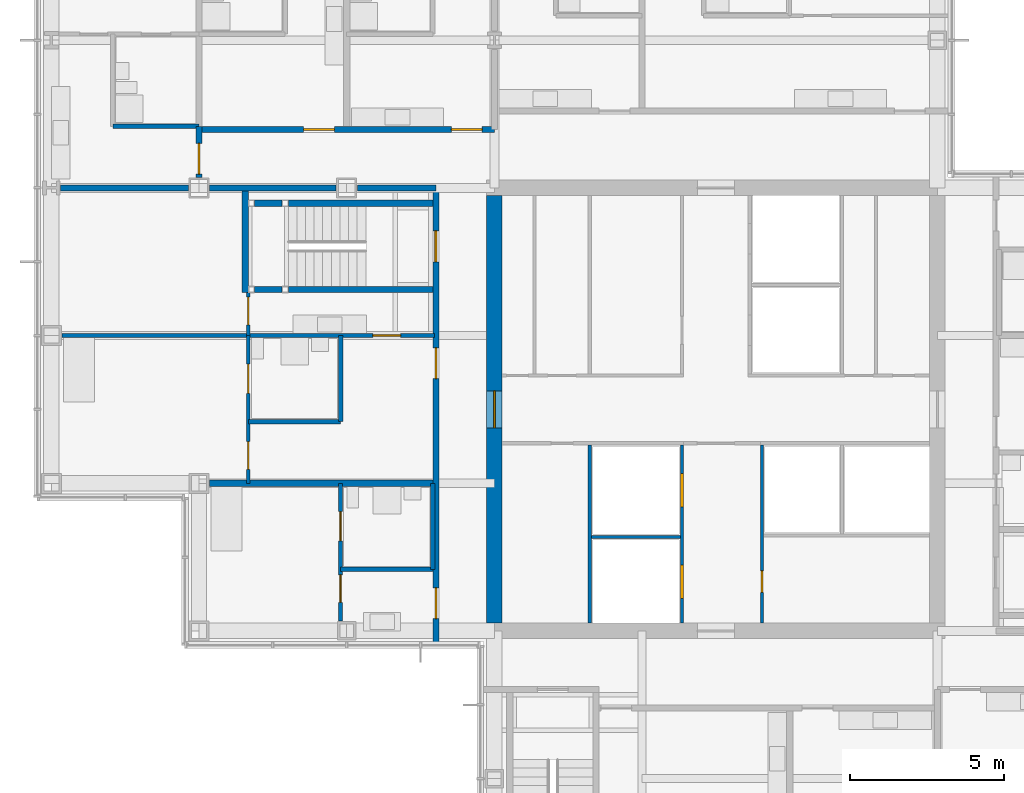
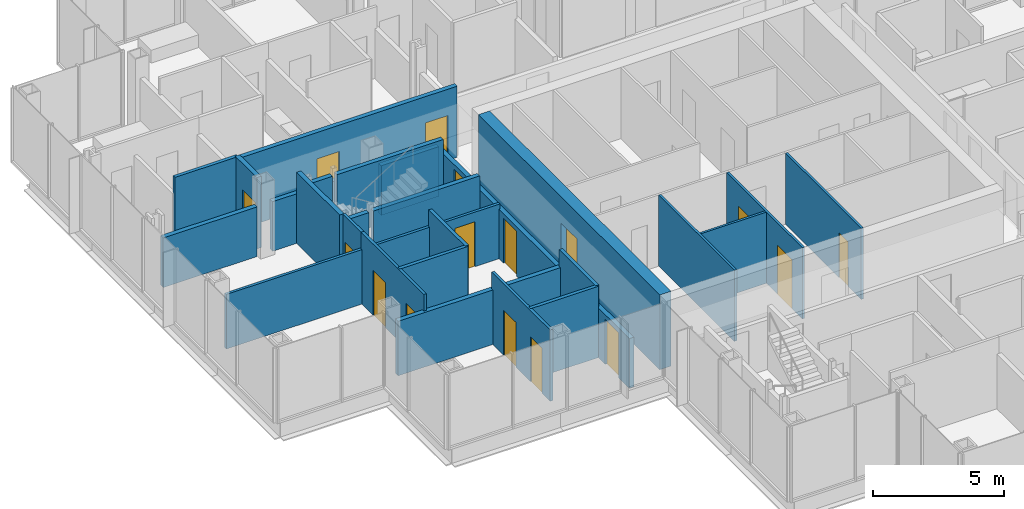
# One storey, part 14 of 20: 27 walls, 16 doors, 16 openings.
"""IFC4 building model written with IfcOpenShell, lengths in metres."""

from ifc_helpers import new_model, si_unit, direction, frame, frame_2d, origin, place, context, subcontext, project, spatial, rectangle, extrude, material, layer, layer_set, type_object, element, fill, save


model = new_model("IFC4")

# Units and contexts
model_context = context("Model", 3, precision=1e-05, world=origin(), true_north=direction((0.0, 1.0)))
body_context = subcontext(model_context, "Body", "Model", "MODEL_VIEW")
ifc_project = project(units=[si_unit("LENGTHUNIT", "METRE"), si_unit("AREAUNIT", "SQUARE_METRE"), si_unit("VOLUMEUNIT", "CUBIC_METRE"), si_unit("PLANEANGLEUNIT", "RADIAN"), si_unit("MASSUNIT", "GRAM", prefix="KILO")], contexts=[model_context])

# Site, building, storey
site_placement = place(None, origin())
site = spatial("IfcSite", under=ifc_project, at=site_placement, CompositionType="ELEMENT")
building_placement = place(site_placement, origin())
building = spatial("IfcBuilding", under=site, at=building_placement, Name="Kvirike Care Tower", CompositionType="ELEMENT")
storey_placement = place(building_placement, frame((0.0, 0.0, 105.0)))
storey = spatial("IfcBuildingStorey", under=building, at=storey_placement, Name="L28", CompositionType="ELEMENT", Elevation=105.0)

# Walls
ifc_material_1 = material(Name="Moisture-resistant board partition", Category="gypsum")
ifc_layer_1 = layer(ifc_material_1, 0.14990234375)
ifc_layer_set_1 = layer_set([ifc_layer_1], Name="BATHROOM WALL 150")
wall_type_1 = type_object("IfcWallType", Name="BATHROOM WALL 150", PredefinedType="PARTITIONING", material=ifc_layer_set_1)
wall_1_placement = place(storey_placement, frame((6.39990234375, 35.60009765625, 0.0), z_axis=(0.0, 0.0, 1.0), x_axis=(1.0, 0.0, 0.0)))
element("IfcWall", 1, at=wall_1_placement, inside=storey, type_object=wall_type_1, Name="Bathroom Wall 150 L28", PredefinedType="PARTITIONING", context=body_context, shape_type="SweptSolid", body=[
    extrude(rectangle(XDim=3.0, YDim=0.14990234375, at=frame_2d((1.5, 0.0))), origin(), (0.0, 0.0, 1.0), 3.330078125),
])
wall_2_placement = place(storey_placement, frame((9.39990234375, 38.39990234375, 0.0), z_axis=(0.0, 0.0, 1.0), x_axis=(0.0, -1.0, 0.0)))
element("IfcWall", 2, at=wall_2_placement, inside=storey, type_object=wall_type_1, Name="Bathroom Wall 150 L28", PredefinedType="PARTITIONING", context=body_context, shape_type="SweptSolid", body=[
    extrude(rectangle(XDim=2.7998046875, YDim=0.14990234375, at=frame_2d((1.39990234375, 0.0))), origin(), (0.0, 0.0, 1.0), 3.330078125),
])
wall_3_placement = place(storey_placement, frame((9.39990234375, 30.800048828125, 0.0), z_axis=(0.0, 0.0, 1.0), x_axis=(1.0, 0.0, 0.0)))
element("IfcWall", 3, at=wall_3_placement, inside=storey, type_object=wall_type_1, Name="Bathroom Wall 150 L28", PredefinedType="PARTITIONING", context=body_context, shape_type="SweptSolid", body=[
    extrude(rectangle(XDim=3.0, YDim=0.14990234375, at=frame_2d((1.5, 0.0))), origin(), (0.0, 0.0, 1.0), 3.330078125),
])
for number, where, z_axis, x_axis, name in (
    (4, (12.39990234375, 33.60009765625, 0.0), (0.0, 0.0, 1.0), (0.0, -1.0, 0.0), "Bathroom Wall 150 L28"),
    (5, (4.800048828125, 45.199951171875, 0.0), (0.0, 0.0, 1.0), (-1.0, 0.0, 0.0), "Bathroom Wall 150 L28"),
):
    element("IfcWall", number, at=place(storey_placement, frame(where, z_axis=z_axis, x_axis=x_axis)), inside=storey, type_object=wall_type_1, Name=name, PredefinedType="PARTITIONING", context=body_context, shape_type="SweptSolid", body=[
        extrude(rectangle(XDim=2.800048828125, YDim=0.14990234375, at=frame_2d((1.39990234375, 0.0))), origin(), (0.0, 0.0, 1.0), 3.330078125),
    ])

# Wall, opening, door
ifc_material_2 = material(Name="Concrete C50/60", Category="concrete")
ifc_layer_2 = layer(ifc_material_2, 0.5)
ifc_layer_set_2 = layer_set([ifc_layer_2], Name="CORE WALL 500 C50-60")
wall_type_2 = type_object("IfcWallType", Name="CORE WALL 500 C50-60", PredefinedType="SHEAR", material=ifc_layer_set_2)
wall_4_placement = place(storey_placement, frame((14.39990234375, 42.949951171875, -0.169921875), z_axis=(0.0, 0.0, 1.0), x_axis=(0.0, -1.0, 0.0)))
wall_4 = element("IfcWall", 6, at=wall_4_placement, inside=storey, type_object=wall_type_2, Name="Core wall W L28", PredefinedType="SHEAR", context=body_context, shape_type="SweptSolid", body=[
    extrude(rectangle(XDim=13.89990234375, YDim=0.5, at=frame_2d((6.949951171875, 0.0))), origin(), (0.0, 0.0, 1.0), 3.5),
])
opening_1_placement = place(wall_4_placement, frame((6.35009765625, 0.0, 0.169921875)))
opening_1 = element("IfcOpeningElement", 7, at=opening_1_placement, cuts=wall_4, Name="Opening 28-063", PredefinedType="OPENING", context=body_context, shape_type="SweptSolid", body=[
    extrude(rectangle(XDim=1.199951171875, YDim=2.10009765625, at=frame_2d((0.60009765625, 1.050048828125))), frame((0.0, 0.260498046875, 0.0), z_axis=(0.0, -1.0, 0.0), x_axis=(1.0, 0.0, 0.0)), (0.0, 0.0, 1.0), 0.52099609375),
])
ifc_material_3 = material(Name="Timber door set", Category="wood")
door_type_1 = type_object("IfcDoorType", Name="CORE DOOR 1200", OperationType="SINGLE_SWING_LEFT", PredefinedType="DOOR", material=ifc_material_3)
door_1_placement = place(opening_1_placement, origin())
door_1 = element("IfcDoor", 8, at=door_1_placement, inside=storey, type_object=door_type_1, Name="Core door W L28", OperationType="SINGLE_SWING_LEFT", OverallHeight=2.10009765625, OverallWidth=1.199951171875, PredefinedType="DOOR", context=body_context, shape_type="SweptSolid", body=[
    extrude(rectangle(XDim=1.199951171875, YDim=2.10009765625, at=frame_2d((0.60009765625, 1.050048828125))), frame((0.0, 0.02685546875, 0.0), z_axis=(0.0, -1.0, 0.0), x_axis=(1.0, 0.0, 0.0)), (0.0, 0.0, 1.0), 0.053955078125),
])
fill(opening_1, door_1)

# Wall, openings, doors
ifc_material_4 = material(Name="Plasterboard corridor wall", Category="gypsum")
ifc_layer_3 = layer(ifc_material_4, 0.199951171875)
ifc_layer_set_3 = layer_set([ifc_layer_3], Name="CORRIDOR WALL 200")
wall_type_3 = type_object("IfcWallType", Name="CORRIDOR WALL 200", PredefinedType="PARTITIONING", material=ifc_layer_set_3)
wall_5_placement = place(storey_placement, frame((12.5, 43.199951171875, 0.0), z_axis=(0.0, 0.0, 1.0), x_axis=(0.0, -1.0, 0.0)))
wall_5 = element("IfcWall", 9, at=wall_5_placement, inside=storey, type_object=wall_type_3, Name="Corridor Wall 200 L28", PredefinedType="PARTITIONING", context=body_context, shape_type="SweptSolid", body=[
    extrude(rectangle(XDim=14.83984375, YDim=0.199951171875, at=frame_2d((7.419921875, 0.0))), origin(), (0.0, 0.0, 1.0), 2.320068359375),
])
opening_2_placement = place(wall_5_placement, frame((1.39990234375, 0.0, 0.0)))
opening_2 = element("IfcOpeningElement", 10, at=opening_2_placement, cuts=wall_5, Name="Opening 28-007", PredefinedType="OPENING", context=body_context, shape_type="SweptSolid", body=[
    extrude(rectangle(XDim=1.0, YDim=2.10009765625, at=frame_2d((0.5, 1.050048828125))), frame((0.0, 0.110595703125, 0.0), z_axis=(0.0, -1.0, 0.0), x_axis=(1.0, 0.0, 0.0)), (0.0, 0.0, 1.0), 0.220947265625),
])
opening_3_placement = place(wall_5_placement, frame((5.199951171875, 0.0, 0.0)))
opening_3 = element("IfcOpeningElement", 11, at=opening_3_placement, cuts=wall_5, Name="Opening 28-008", PredefinedType="OPENING", context=body_context, shape_type="SweptSolid", body=[
    extrude(rectangle(XDim=1.0, YDim=2.10009765625, at=frame_2d((0.5, 1.050048828125))), frame((0.0, 0.110595703125, 0.0), z_axis=(0.0, -1.0, 0.0), x_axis=(1.0, 0.0, 0.0)), (0.0, 0.0, 1.0), 0.220947265625),
])
opening_4_placement = place(wall_5_placement, frame((13.0, 0.0, 0.0)))
opening_4 = element("IfcOpeningElement", 12, at=opening_4_placement, cuts=wall_5, Name="Opening 28-009", PredefinedType="OPENING", context=body_context, shape_type="SweptSolid", body=[
    extrude(rectangle(XDim=1.0, YDim=2.10009765625, at=frame_2d((0.5, 1.050048828125))), frame((0.0, 0.110595703125, 0.0), z_axis=(0.0, -1.0, 0.0), x_axis=(1.0, 0.0, 0.0)), (0.0, 0.0, 1.0), 0.220947265625),
])
ifc_material_5 = material(Name="Timber door set", Category="wood")
door_type_2 = type_object("IfcDoorType", Name="FLAT ENTRANCE DOOR 1000", OperationType="SINGLE_SWING_LEFT", PredefinedType="DOOR", material=ifc_material_5)
door_2_placement = place(opening_3_placement, frame((1.0, 0.0, 0.0), z_axis=(0.0, 0.0, 1.0), x_axis=(-1.0, 0.0, 0.0)))
door_2 = element("IfcDoor", 13, at=door_2_placement, inside=storey, type_object=door_type_2, Name="Assisted living suite entrance", OperationType="SINGLE_SWING_LEFT", OverallHeight=2.10009765625, OverallWidth=1.0, PredefinedType="DOOR", context=body_context, shape_type="SweptSolid", body=[
    extrude(rectangle(XDim=1.0, YDim=2.10009765625, at=frame_2d((0.5, 1.050048828125))), frame((0.0, 0.02685546875, 0.0), z_axis=(0.0, -1.0, 0.0), x_axis=(1.0, 0.0, 0.0)), (0.0, 0.0, 1.0), 0.053955078125),
])
fill(opening_3, door_2)
door_3_placement = place(opening_4_placement, frame((1.0, 0.0, 0.0), z_axis=(0.0, 0.0, 1.0), x_axis=(-1.0, 0.0, 0.0)))
door_3 = element("IfcDoor", 14, at=door_3_placement, inside=storey, type_object=door_type_2, Name="Assisted living suite entrance", OperationType="SINGLE_SWING_RIGHT", OverallHeight=2.10009765625, OverallWidth=1.0, PredefinedType="DOOR", context=body_context, shape_type="SweptSolid", body=[
    extrude(rectangle(XDim=1.0, YDim=2.10009765625, at=frame_2d((0.5, 1.050048828125))), frame((0.0, 0.02685546875, 0.0), z_axis=(0.0, -1.0, 0.0), x_axis=(1.0, 0.0, 0.0)), (0.0, 0.0, 1.0), 0.053955078125),
])
fill(opening_4, door_3)
ifc_material_6 = material(Name="Timber door set", Category="wood")
door_type_3 = type_object("IfcDoorType", Name="STAIR DOOR 1000", OperationType="SINGLE_SWING_LEFT", PredefinedType="DOOR", material=ifc_material_6)
door_4_placement = place(opening_2_placement, frame((1.0, 0.0, 0.0), z_axis=(0.0, 0.0, 1.0), x_axis=(-1.0, 0.0, 0.0)))
door_4 = element("IfcDoor", 15, at=door_4_placement, inside=storey, type_object=door_type_3, Name="Stair 1 door", OperationType="SINGLE_SWING_LEFT", OverallHeight=2.10009765625, OverallWidth=1.0, PredefinedType="DOOR", context=body_context, shape_type="SweptSolid", body=[
    extrude(rectangle(XDim=1.0, YDim=2.10009765625, at=frame_2d((0.5, 1.050048828125))), frame((0.0, 0.031982421875, 0.0), z_axis=(0.0, -1.0, 0.0), x_axis=(1.0, 0.0, 0.0)), (0.0, 0.0, 1.0), 0.06396484375),
])
fill(opening_2, door_4)

wall_6_placement = place(storey_placement, frame((14.39990234375, 45.10009765625, 0.0), z_axis=(0.0, 0.0, 1.0), x_axis=(-1.0, 0.0, 0.0)))
wall_6 = element("IfcWall", 16, at=wall_6_placement, inside=storey, type_object=wall_type_3, Name="Corridor Wall 200 L28", PredefinedType="PARTITIONING", context=body_context, shape_type="SweptSolid", body=[
    extrude(rectangle(XDim=9.599853515625, YDim=0.199951171875, at=frame_2d((4.7998046875, 0.0))), origin(), (0.0, 0.0, 1.0), 3.330078125),
])
opening_5_placement = place(wall_6_placement, frame((0.39990234375, 0.0, 0.0)))
opening_5 = element("IfcOpeningElement", 17, at=opening_5_placement, cuts=wall_6, Name="Opening 28-016", PredefinedType="OPENING", context=body_context, shape_type="SweptSolid", body=[
    extrude(rectangle(XDim=1.0, YDim=2.10009765625, at=frame_2d((0.5, 1.050048828125))), frame((0.0, 0.110595703125, 0.0), z_axis=(0.0, -1.0, 0.0), x_axis=(1.0, 0.0, 0.0)), (0.0, 0.0, 1.0), 0.220947265625),
])
opening_6_placement = place(wall_6_placement, frame((5.199951171875, 0.0, 0.0)))
opening_6 = element("IfcOpeningElement", 18, at=opening_6_placement, cuts=wall_6, Name="Opening 28-017", PredefinedType="OPENING", context=body_context, shape_type="SweptSolid", body=[
    extrude(rectangle(XDim=1.0, YDim=2.10009765625, at=frame_2d((0.5, 1.050048828125))), frame((0.0, 0.110595703125, 0.0), z_axis=(0.0, -1.0, 0.0), x_axis=(1.0, 0.0, 0.0)), (0.0, 0.0, 1.0), 0.220947265625),
])
door_5_placement = place(opening_5_placement, frame((1.0, 0.0, 0.0), z_axis=(0.0, 0.0, 1.0), x_axis=(-1.0, 0.0, 0.0)))
door_5 = element("IfcDoor", 19, at=door_5_placement, inside=storey, type_object=door_type_2, Name="Assisted living suite entrance", OperationType="SINGLE_SWING_LEFT", OverallHeight=2.10009765625, OverallWidth=1.0, PredefinedType="DOOR", context=body_context, shape_type="SweptSolid", body=[
    extrude(rectangle(XDim=1.0, YDim=2.10009765625, at=frame_2d((0.5, 1.050048828125))), frame((0.0, 0.02685546875, 0.0), z_axis=(0.0, -1.0, 0.0), x_axis=(1.0, 0.0, 0.0)), (0.0, 0.0, 1.0), 0.053955078125),
])
fill(opening_5, door_5)
door_6_placement = place(opening_6_placement, frame((1.0, 0.0, 0.0), z_axis=(0.0, 0.0, 1.0), x_axis=(-1.0, 0.0, 0.0)))
door_6 = element("IfcDoor", 20, at=door_6_placement, inside=storey, type_object=door_type_2, Name="Assisted living suite entrance", OperationType="SINGLE_SWING_LEFT", OverallHeight=2.10009765625, OverallWidth=1.0, PredefinedType="DOOR", context=body_context, shape_type="SweptSolid", body=[
    extrude(rectangle(XDim=1.0, YDim=2.10009765625, at=frame_2d((0.5, 1.050048828125))), frame((0.0, 0.02685546875, 0.0), z_axis=(0.0, -1.0, 0.0), x_axis=(1.0, 0.0, 0.0)), (0.0, 0.0, 1.0), 0.053955078125),
])
fill(opening_6, door_6)

# Wall, opening, door
wall_7_placement = place(storey_placement, frame((4.800048828125, 45.199951171875, 0.0), z_axis=(0.0, 0.0, 1.0), x_axis=(0.0, -1.0, 0.0)))
wall_7 = element("IfcWall", 21, at=wall_7_placement, inside=storey, type_object=wall_type_3, Name="Corridor Wall 200 L28", PredefinedType="PARTITIONING", context=body_context, shape_type="SweptSolid", body=[
    extrude(rectangle(XDim=1.655029296875, YDim=0.199951171875, at=frame_2d((0.82763671875, 0.0))), origin(), (0.0, 0.0, 1.0), 3.330078125),
])
opening_7_placement = place(wall_7_placement, frame((0.550048828125, 0.0, 0.0)))
opening_7 = element("IfcOpeningElement", 22, at=opening_7_placement, cuts=wall_7, Name="Opening 28-018", PredefinedType="OPENING", context=body_context, shape_type="SweptSolid", body=[
    extrude(rectangle(XDim=1.0, YDim=2.10009765625, at=frame_2d((0.5, 1.050048828125))), frame((0.0, 0.110595703125, 0.0), z_axis=(0.0, -1.0, 0.0), x_axis=(1.0, 0.0, 0.0)), (0.0, 0.0, 1.0), 0.220947265625),
])
door_7_placement = place(opening_7_placement, frame((1.0, 0.0, 0.0), z_axis=(0.0, 0.0, 1.0), x_axis=(-1.0, 0.0, 0.0)))
door_7 = element("IfcDoor", 23, at=door_7_placement, inside=storey, type_object=door_type_2, Name="Assisted living suite entrance", OperationType="SINGLE_SWING_RIGHT", OverallHeight=2.10009765625, OverallWidth=1.0, PredefinedType="DOOR", context=body_context, shape_type="SweptSolid", body=[
    extrude(rectangle(XDim=1.0, YDim=2.10009765625, at=frame_2d((0.5, 1.050048828125))), frame((0.0, 0.02685546875, 0.0), z_axis=(0.0, -1.0, 0.0), x_axis=(1.0, 0.0, 0.0)), (0.0, 0.0, 1.0), 0.053955078125),
])
fill(opening_7, door_7)

ifc_material_7 = material(Name="Plasterboard partition", Category="gypsum")
ifc_layer_4 = layer(ifc_material_7, 0.1201171875)
ifc_layer_set_4 = layer_set([ifc_layer_4], Name="PARTITION 120")
wall_type_4 = type_object("IfcWallType", Name="PARTITION 120", PredefinedType="PARTITIONING", material=ifc_layer_set_4)
wall_8_placement = place(storey_placement, frame((6.39990234375, 38.39990234375, 0.0), z_axis=(0.0, 0.0, 1.0), x_axis=(1.0, 0.0, 0.0)))
wall_8 = element("IfcWall", 24, at=wall_8_placement, inside=storey, type_object=wall_type_4, Name="Partition 120 L28", PredefinedType="PARTITIONING", context=body_context, shape_type="SweptSolid", body=[
    extrude(rectangle(XDim=6.050048828125, YDim=0.1201171875, at=frame_2d((3.02490234375, 0.0))), origin(), (0.0, 0.0, 1.0), 2.550048828125),
])
opening_8_placement = place(wall_8_placement, frame((4.050048828125, 0.0, 0.0)))
opening_8 = element("IfcOpeningElement", 25, at=opening_8_placement, cuts=wall_8, Name="Opening 28-001", PredefinedType="OPENING", context=body_context, shape_type="SweptSolid", body=[
    extrude(rectangle(XDim=0.89990234375, YDim=2.10009765625, at=frame_2d((0.449951171875, 1.050048828125))), frame((0.0, 0.070556640625, 0.0), z_axis=(0.0, -1.0, 0.0), x_axis=(1.0, 0.0, 0.0)), (0.0, 0.0, 1.0), 0.14111328125),
])
ifc_material_8 = material(Name="Timber door set", Category="wood")
door_type_4 = type_object("IfcDoorType", Name="INTERNAL DOOR 900", OperationType="SINGLE_SWING_LEFT", PredefinedType="DOOR", material=ifc_material_8)
door_8_placement = place(opening_8_placement, origin())
door_8 = element("IfcDoor", 26, at=door_8_placement, inside=storey, type_object=door_type_4, Name="Hall door", OperationType="SINGLE_SWING_LEFT", OverallHeight=2.10009765625, OverallWidth=0.89990234375, PredefinedType="DOOR", context=body_context, shape_type="SweptSolid", body=[
    extrude(rectangle(XDim=0.89990234375, YDim=2.10009765625, at=frame_2d((0.449951171875, 1.050048828125))), frame((0.0, 0.02197265625, 0.0), z_axis=(0.0, -1.0, 0.0), x_axis=(1.0, 0.0, 0.0)), (0.0, 0.0, 1.0), 0.0439453125),
])
fill(opening_8, door_8)

wall_9_placement = place(storey_placement, frame((6.39990234375, 39.800048828125, 0.0), z_axis=(0.0, 0.0, 1.0), x_axis=(0.0, -1.0, 0.0)))
wall_9 = element("IfcWall", 27, at=wall_9_placement, inside=storey, type_object=wall_type_4, Name="Partition 120 L28", PredefinedType="PARTITIONING", context=body_context, shape_type="SweptSolid", body=[
    extrude(rectangle(XDim=1.400146484375, YDim=0.1201171875, at=frame_2d((0.7001953125, 0.0))), origin(), (0.0, 0.0, 1.0), 3.330078125),
])
opening_9_placement = place(wall_9_placement, frame((0.14990234375, 0.0, 0.0)))
opening_9 = element("IfcOpeningElement", 28, at=opening_9_placement, cuts=wall_9, Name="Opening 28-002", PredefinedType="OPENING", context=body_context, shape_type="SweptSolid", body=[
    extrude(rectangle(XDim=0.89990234375, YDim=2.10009765625, at=frame_2d((0.449951171875, 1.050048828125))), frame((0.0, 0.070556640625, 0.0), z_axis=(0.0, -1.0, 0.0), x_axis=(1.0, 0.0, 0.0)), (0.0, 0.0, 1.0), 0.14111328125),
])
door_9_placement = place(opening_9_placement, origin())
door_9 = element("IfcDoor", 29, at=door_9_placement, inside=storey, type_object=door_type_4, Name="Suite sitting room door", OperationType="SINGLE_SWING_RIGHT", OverallHeight=2.10009765625, OverallWidth=0.89990234375, PredefinedType="DOOR", context=body_context, shape_type="SweptSolid", body=[
    extrude(rectangle(XDim=0.89990234375, YDim=2.10009765625, at=frame_2d((0.449951171875, 1.050048828125))), frame((0.0, 0.02197265625, 0.0), z_axis=(0.0, -1.0, 0.0), x_axis=(1.0, 0.0, 0.0)), (0.0, 0.0, 1.0), 0.0439453125),
])
fill(opening_9, door_9)

# Wall, openings, doors
wall_10_placement = place(storey_placement, frame((6.39990234375, 38.39990234375, 0.0), z_axis=(0.0, 0.0, 1.0), x_axis=(0.0, -1.0, 0.0)))
wall_10 = element("IfcWall", 30, at=wall_10_placement, inside=storey, type_object=wall_type_4, Name="Partition 120 L28", PredefinedType="PARTITIONING", context=body_context, shape_type="SweptSolid", body=[
    extrude(rectangle(XDim=4.7998046875, YDim=0.1201171875, at=frame_2d((2.39990234375, 0.0))), origin(), (0.0, 0.0, 1.0), 3.330078125),
])
opening_10_placement = place(wall_10_placement, frame((3.449951171875, 0.0, 0.0)))
opening_10 = element("IfcOpeningElement", 31, at=opening_10_placement, cuts=wall_10, Name="Opening 28-003", PredefinedType="OPENING", context=body_context, shape_type="SweptSolid", body=[
    extrude(rectangle(XDim=0.89990234375, YDim=2.10009765625, at=frame_2d((0.449951171875, 1.050048828125))), frame((0.0, 0.070556640625, 0.0), z_axis=(0.0, -1.0, 0.0), x_axis=(1.0, 0.0, 0.0)), (0.0, 0.0, 1.0), 0.14111328125),
])
opening_11_placement = place(wall_10_placement, frame((0.925048828125, 0.0, 0.0)))
opening_11 = element("IfcOpeningElement", 32, at=opening_11_placement, cuts=wall_10, Name="Opening 28-004", PredefinedType="OPENING", context=body_context, shape_type="SweptSolid", body=[
    extrude(rectangle(XDim=0.949951171875, YDim=2.10009765625, at=frame_2d((0.47509765625, 1.050048828125))), frame((0.0, 0.070556640625, 0.0), z_axis=(0.0, -1.0, 0.0), x_axis=(1.0, 0.0, 0.0)), (0.0, 0.0, 1.0), 0.14111328125),
])
ifc_material_9 = material(Name="Timber door set", Category="wood")
door_type_5 = type_object("IfcDoorType", Name="EN-SUITE SLIDING DOOR 950", OperationType="SLIDING_TO_LEFT", PredefinedType="DOOR", material=ifc_material_9)
door_10_placement = place(opening_11_placement, origin())
door_10 = element("IfcDoor", 33, at=door_10_placement, inside=storey, type_object=door_type_5, Name="En-suite door", OperationType="SLIDING_TO_RIGHT", OverallHeight=2.10009765625, OverallWidth=0.949951171875, PredefinedType="DOOR", context=body_context, shape_type="SweptSolid", body=[
    extrude(rectangle(XDim=0.949951171875, YDim=2.10009765625, at=frame_2d((0.47509765625, 1.050048828125))), frame((0.0, 0.02197265625, 0.0), z_axis=(0.0, -1.0, 0.0), x_axis=(1.0, 0.0, 0.0)), (0.0, 0.0, 1.0), 0.0439453125),
])
fill(opening_11, door_10)
door_11_placement = place(opening_10_placement, origin())
door_11 = element("IfcDoor", 34, at=door_11_placement, inside=storey, type_object=door_type_4, Name="Assisted living suite door", OperationType="SINGLE_SWING_LEFT", OverallHeight=2.10009765625, OverallWidth=0.89990234375, PredefinedType="DOOR", context=body_context, shape_type="SweptSolid", body=[
    extrude(rectangle(XDim=0.89990234375, YDim=2.10009765625, at=frame_2d((0.449951171875, 1.050048828125))), frame((0.0, 0.02197265625, 0.0), z_axis=(0.0, -1.0, 0.0), x_axis=(1.0, 0.0, 0.0)), (0.0, 0.0, 1.0), 0.0439453125),
])
fill(opening_10, door_11)

# Wall
wall_11_placement = place(storey_placement, frame((0.344970703125, 38.39990234375, 0.0), z_axis=(0.0, 0.0, 1.0), x_axis=(1.0, 0.0, 0.0)))
element("IfcWall", 35, at=wall_11_placement, inside=storey, type_object=wall_type_4, Name="Partition 120 L28", PredefinedType="PARTITIONING", context=body_context, shape_type="SweptSolid", body=[
    extrude(rectangle(XDim=6.054931640625, YDim=0.1201171875, at=frame_2d((3.02734375, 0.0))), origin(), (0.0, 0.0, 1.0), 2.550048828125),
])

# Wall, openings, doors
wall_12_placement = place(storey_placement, frame((9.39990234375, 33.60009765625, 0.0), z_axis=(0.0, 0.0, 1.0), x_axis=(0.0, -1.0, 0.0)))
wall_12 = element("IfcWall", 36, at=wall_12_placement, inside=storey, type_object=wall_type_4, Name="Partition 120 L28", PredefinedType="PARTITIONING", context=body_context, shape_type="SweptSolid", body=[
    extrude(rectangle(XDim=4.47998046875, YDim=0.1201171875, at=frame_2d((2.239990234375, 0.0))), origin(), (0.0, 0.0, 1.0), 3.330078125),
])
opening_12_placement = place(wall_12_placement, frame((2.97509765625, 0.0, 0.0)))
opening_12 = element("IfcOpeningElement", 37, at=opening_12_placement, cuts=wall_12, Name="Opening 28-005", PredefinedType="OPENING", context=body_context, shape_type="SweptSolid", body=[
    extrude(rectangle(XDim=0.89990234375, YDim=2.10009765625, at=frame_2d((0.449951171875, 1.050048828125))), frame((0.0, 0.070556640625, 0.0), z_axis=(0.0, -1.0, 0.0), x_axis=(1.0, 0.0, 0.0)), (0.0, 0.0, 1.0), 0.14111328125),
])
opening_13_placement = place(wall_12_placement, frame((0.925048828125, 0.0, 0.0)))
opening_13 = element("IfcOpeningElement", 38, at=opening_13_placement, cuts=wall_12, Name="Opening 28-006", PredefinedType="OPENING", context=body_context, shape_type="SweptSolid", body=[
    extrude(rectangle(XDim=0.949951171875, YDim=2.10009765625, at=frame_2d((0.47509765625, 1.050048828125))), frame((0.0, 0.070556640625, 0.0), z_axis=(0.0, -1.0, 0.0), x_axis=(1.0, 0.0, 0.0)), (0.0, 0.0, 1.0), 0.14111328125),
])
door_12_placement = place(opening_13_placement, origin())
door_12 = element("IfcDoor", 39, at=door_12_placement, inside=storey, type_object=door_type_5, Name="En-suite door", OperationType="SLIDING_TO_LEFT", OverallHeight=2.10009765625, OverallWidth=0.949951171875, PredefinedType="DOOR", context=body_context, shape_type="SweptSolid", body=[
    extrude(rectangle(XDim=0.949951171875, YDim=2.10009765625, at=frame_2d((0.47509765625, 1.050048828125))), frame((0.0, 0.02197265625, 0.0), z_axis=(0.0, -1.0, 0.0), x_axis=(1.0, 0.0, 0.0)), (0.0, 0.0, 1.0), 0.0439453125),
])
fill(opening_13, door_12)
door_13_placement = place(opening_12_placement, origin())
door_13 = element("IfcDoor", 40, at=door_13_placement, inside=storey, type_object=door_type_4, Name="Assisted living suite door", OperationType="SINGLE_SWING_RIGHT", OverallHeight=2.10009765625, OverallWidth=0.89990234375, PredefinedType="DOOR", context=body_context, shape_type="SweptSolid", body=[
    extrude(rectangle(XDim=0.89990234375, YDim=2.10009765625, at=frame_2d((0.449951171875, 1.050048828125))), frame((0.0, 0.02197265625, 0.0), z_axis=(0.0, -1.0, 0.0), x_axis=(1.0, 0.0, 0.0)), (0.0, 0.0, 1.0), 0.0439453125),
])
fill(opening_12, door_13)

# Walls
ifc_material_10 = material(Name="Plasterboard party wall", Category="gypsum")
ifc_layer_5 = layer(ifc_material_10, 0.199951171875)
ifc_layer_set_5 = layer_set([ifc_layer_5], Name="PARTY WALL 200")
wall_type_5 = type_object("IfcWallType", Name="PARTY WALL 200", PredefinedType="PARTITIONING", material=ifc_layer_set_5)
wall_13_placement = place(storey_placement, frame((5.14501953125, 33.60009765625, 0.0), z_axis=(0.0, 0.0, 1.0), x_axis=(1.0, 0.0, 0.0)))
element("IfcWall", 41, at=wall_13_placement, inside=storey, type_object=wall_type_5, Name="Party Wall 200 L28", PredefinedType="PARTITIONING", context=body_context, shape_type="SweptSolid", body=[
    extrude(rectangle(XDim=7.2548828125, YDim=0.199951171875, at=frame_2d((3.62744140625, 0.0))), origin(), (0.0, 0.0, 1.0), 2.550048828125),
])
wall_14_placement = place(storey_placement, frame((12.5, 43.199951171875, 0.0), z_axis=(0.0, 0.0, 1.0), x_axis=(-1.0, 0.0, 0.0)))
element("IfcWall", 42, at=wall_14_placement, inside=storey, type_object=wall_type_5, Name="Party Wall 200 L28", PredefinedType="PARTITIONING", context=body_context, shape_type="SweptSolid", body=[
    extrude(rectangle(XDim=2.554931640625, YDim=0.199951171875, at=frame_2d((1.27734375, 0.0))), origin(), (0.0, 0.0, 1.0), 2.320068359375),
])
wall_15_placement = place(storey_placement, frame((9.2548828125, 43.199951171875, 0.0), z_axis=(0.0, 0.0, 1.0), x_axis=(-1.0, 0.0, 0.0)))
element("IfcWall", 43, at=wall_15_placement, inside=storey, type_object=wall_type_5, Name="Party Wall 200 L28", PredefinedType="PARTITIONING", context=body_context, shape_type="SweptSolid", body=[
    extrude(rectangle(XDim=4.10986328125, YDim=0.199951171875, at=frame_2d((2.054931640625, 0.0))), origin(), (0.0, 0.0, 1.0), 2.320068359375),
])
wall_16_placement = place(storey_placement, frame((4.455078125, 43.199951171875, 0.0), z_axis=(0.0, 0.0, 1.0), x_axis=(-1.0, 0.0, 0.0)))
element("IfcWall", 44, at=wall_16_placement, inside=storey, type_object=wall_type_5, Name="Party Wall 200 L28", PredefinedType="PARTITIONING", context=body_context, shape_type="SweptSolid", body=[
    extrude(rectangle(XDim=4.150634765625, YDim=0.199951171875, at=frame_2d((2.0751953125, 0.0))), origin(), (0.0, 0.0, 1.0), 2.320068359375),
])

# Wall, openings, doors
ifc_material_11 = material(Name="Gypsum shaft wall system", Category="gypsum")
ifc_layer_6 = layer(ifc_material_11, 0.10009765625)
ifc_layer_set_6 = layer_set([ifc_layer_6], Name="SHAFT WALL 100")
wall_type_6 = type_object("IfcWallType", Name="SHAFT WALL 100", PredefinedType="SOLIDWALL", material=ifc_layer_set_6)
wall_17_placement = place(storey_placement, frame((20.5, 29.050048828125, 0.0), z_axis=(0.0, 0.0, 1.0), x_axis=(0.0, 1.0, 0.0)))
wall_17 = element("IfcWall", 45, at=wall_17_placement, inside=storey, type_object=wall_type_6, Name="Shaft Wall 100 L28", PredefinedType="SOLIDWALL", context=body_context, shape_type="SweptSolid", body=[
    extrude(rectangle(XDim=5.800048828125, YDim=0.10009765625, at=frame_2d((2.89990234375, 0.0))), origin(), (0.0, 0.0, 1.0), 3.330078125),
])
opening_14_placement = place(wall_17_placement, frame((0.800048828125, 0.0, 0.0)))
opening_14 = element("IfcOpeningElement", 46, at=opening_14_placement, cuts=wall_17, Name="Opening 28-050", PredefinedType="OPENING", context=body_context, shape_type="SweptSolid", body=[
    extrude(rectangle(XDim=1.10009765625, YDim=2.300048828125, at=frame_2d((0.550048828125, 1.14990234375))), frame((0.0, 0.060546875, 0.0), z_axis=(0.0, -1.0, 0.0), x_axis=(1.0, 0.0, 0.0)), (0.0, 0.0, 1.0), 0.12109375),
])
opening_15_placement = place(wall_17_placement, frame((3.77490234375, 0.0, 0.0)))
opening_15 = element("IfcOpeningElement", 47, at=opening_15_placement, cuts=wall_17, Name="Opening 28-051", PredefinedType="OPENING", context=body_context, shape_type="SweptSolid", body=[
    extrude(rectangle(XDim=1.10009765625, YDim=2.300048828125, at=frame_2d((0.550048828125, 1.14990234375))), frame((0.0, 0.060546875, 0.0), z_axis=(0.0, -1.0, 0.0), x_axis=(1.0, 0.0, 0.0)), (0.0, 0.0, 1.0), 0.12109375),
])
ifc_material_12 = material(Name="Aluminium door frame", Category="aluminium")
door_type_6 = type_object("IfcDoorType", Name="FIRE-FIGHTING LIFT LANDING DOOR 1100", OperationType="SLIDING_TO_LEFT", PredefinedType="DOOR", material=ifc_material_12)
door_14_placement = place(opening_14_placement, origin())
door_14 = element("IfcDoor", 48, at=door_14_placement, inside=storey, type_object=door_type_6, Name="Lift FF1 landing door", OperationType="SLIDING_TO_LEFT", OverallHeight=2.300048828125, OverallWidth=1.10009765625, PredefinedType="DOOR", context=body_context, shape_type="SweptSolid", body=[
    extrude(rectangle(XDim=1.10009765625, YDim=2.300048828125, at=frame_2d((0.550048828125, 1.14990234375))), frame((0.0, 0.0498046875, 0.0), z_axis=(0.0, -1.0, 0.0), x_axis=(1.0, 0.0, 0.0)), (0.0, 0.0, 1.0), 0.099609375),
])
fill(opening_14, door_14)
door_15_placement = place(opening_15_placement, origin())
door_15 = element("IfcDoor", 49, at=door_15_placement, inside=storey, type_object=door_type_6, Name="Lift FF2 landing door", OperationType="SLIDING_TO_LEFT", OverallHeight=2.300048828125, OverallWidth=1.10009765625, PredefinedType="DOOR", context=body_context, shape_type="SweptSolid", body=[
    extrude(rectangle(XDim=1.10009765625, YDim=2.300048828125, at=frame_2d((0.550048828125, 1.14990234375))), frame((0.0, 0.0498046875, 0.0), z_axis=(0.0, -1.0, 0.0), x_axis=(1.0, 0.0, 0.0)), (0.0, 0.0, 1.0), 0.099609375),
])
fill(opening_15, door_15)

# Wall, opening, door
wall_18_placement = place(storey_placement, frame((23.10009765625, 29.050048828125, 0.0), z_axis=(0.0, 0.0, 1.0), x_axis=(0.0, 1.0, 0.0)))
wall_18 = element("IfcWall", 50, at=wall_18_placement, inside=storey, type_object=wall_type_6, Name="Shaft Wall 100 L28", PredefinedType="SOLIDWALL", context=body_context, shape_type="SweptSolid", body=[
    extrude(rectangle(XDim=5.800048828125, YDim=0.10009765625, at=frame_2d((2.89990234375, 0.0))), origin(), (0.0, 0.0, 1.0), 3.330078125),
])
opening_16_placement = place(wall_18_placement, frame((1.0, 0.0, 0.0)))
opening_16 = element("IfcOpeningElement", 51, at=opening_16_placement, cuts=wall_18, Name="Opening 28-055", PredefinedType="OPENING", context=body_context, shape_type="SweptSolid", body=[
    extrude(rectangle(XDim=0.699951171875, YDim=2.10009765625, at=frame_2d((0.35009765625, 1.050048828125))), frame((0.0, 0.060546875, 0.0), z_axis=(0.0, -1.0, 0.0), x_axis=(1.0, 0.0, 0.0)), (0.0, 0.0, 1.0), 0.12109375),
])
ifc_material_13 = material(Name="Timber door set", Category="wood")
door_type_7 = type_object("IfcDoorType", Name="RISER DOOR 700", OperationType="SINGLE_SWING_LEFT", PredefinedType="DOOR", material=ifc_material_13)
door_16_placement = place(opening_16_placement, origin())
door_16 = element("IfcDoor", 52, at=door_16_placement, inside=storey, type_object=door_type_7, Name="Riser door", OperationType="SINGLE_SWING_RIGHT", OverallHeight=2.10009765625, OverallWidth=0.699951171875, PredefinedType="DOOR", context=body_context, shape_type="SweptSolid", body=[
    extrude(rectangle(XDim=0.699951171875, YDim=2.10009765625, at=frame_2d((0.35009765625, 1.050048828125))), frame((0.0, 0.02685546875, 0.0), z_axis=(0.0, -1.0, 0.0), x_axis=(1.0, 0.0, 0.0)), (0.0, 0.0, 1.0), 0.053955078125),
])
fill(opening_16, door_16)

# Walls
wall_19_placement = place(storey_placement, frame((17.5, 29.050048828125, 0.0), z_axis=(0.0, 0.0, 1.0), x_axis=(0.0, 1.0, 0.0)))
element("IfcWall", 53, at=wall_19_placement, inside=storey, type_object=wall_type_6, Name="Shaft Wall 100 L28", PredefinedType="SOLIDWALL", context=body_context, shape_type="SweptSolid", body=[
    extrude(rectangle(XDim=5.800048828125, YDim=0.10009765625, at=frame_2d((2.89990234375, 0.0))), origin(), (0.0, 0.0, 1.0), 3.330078125),
])
wall_20_placement = place(storey_placement, frame((17.550048828125, 31.85009765625, 0.0), z_axis=(0.0, 0.0, 1.0), x_axis=(1.0, 0.0, 0.0)))
element("IfcWall", 54, at=wall_20_placement, inside=storey, type_object=wall_type_6, Name="Shaft Wall 100 L28", PredefinedType="SOLIDWALL", context=body_context, shape_type="SweptSolid", body=[
    extrude(rectangle(XDim=2.89990234375, YDim=0.10009765625, at=frame_2d((1.449951171875, 0.0))), origin(), (0.0, 0.0, 1.0), 3.330078125),
])
ifc_material_14 = material(Name="Concrete C40/50", Category="concrete")
ifc_layer_7 = layer(ifc_material_14, 0.199951171875)
ifc_layer_set_7 = layer_set([ifc_layer_7], Name="STAIR WALL 200")
wall_type_7 = type_object("IfcWallType", Name="STAIR WALL 200", PredefinedType="SOLIDWALL", material=ifc_layer_set_7)
wall_21_placement = place(storey_placement, frame((6.60009765625, 42.699951171875, 0.0), z_axis=(0.0, 0.0, 1.0), x_axis=(1.0, 0.0, 0.0)))
element("IfcWall", 55, at=wall_21_placement, inside=storey, type_object=wall_type_7, Name="Stair Wall 200 L28", PredefinedType="SOLIDWALL", context=body_context, shape_type="SweptSolid", body=[
    extrude(rectangle(XDim=0.89990234375, YDim=0.199951171875, at=frame_2d((0.449951171875, 0.0))), origin(), (0.0, 0.0, 1.0), 2.989990234375),
])
wall_22_placement = place(storey_placement, frame((7.699951171875, 42.699951171875, 0.0), z_axis=(0.0, 0.0, 1.0), x_axis=(1.0, 0.0, 0.0)))
element("IfcWall", 56, at=wall_22_placement, inside=storey, type_object=wall_type_7, Name="Stair Wall 200 L28", PredefinedType="SOLIDWALL", context=body_context, shape_type="SweptSolid", body=[
    extrude(rectangle(XDim=4.699951171875, YDim=0.199951171875, at=frame_2d((2.35009765625, 0.0))), origin(), (0.0, 0.0, 1.0), 2.989990234375),
])
wall_23_placement = place(storey_placement, frame((6.60009765625, 39.89990234375, 0.0), z_axis=(0.0, 0.0, 1.0), x_axis=(1.0, 0.0, 0.0)))
element("IfcWall", 57, at=wall_23_placement, inside=storey, type_object=wall_type_7, Name="Stair Wall 200 L28", PredefinedType="SOLIDWALL", context=body_context, shape_type="SweptSolid", body=[
    extrude(rectangle(XDim=0.89990234375, YDim=0.199951171875, at=frame_2d((0.449951171875, 0.0))), origin(), (0.0, 0.0, 1.0), 2.989990234375),
])
wall_24_placement = place(storey_placement, frame((7.699951171875, 39.89990234375, 0.0), z_axis=(0.0, 0.0, 1.0), x_axis=(1.0, 0.0, 0.0)))
element("IfcWall", 58, at=wall_24_placement, inside=storey, type_object=wall_type_7, Name="Stair Wall 200 L28", PredefinedType="SOLIDWALL", context=body_context, shape_type="SweptSolid", body=[
    extrude(rectangle(XDim=4.699951171875, YDim=0.199951171875, at=frame_2d((2.35009765625, 0.0))), origin(), (0.0, 0.0, 1.0), 2.989990234375),
])
wall_25_placement = place(storey_placement, frame((6.300048828125, 43.10009765625, 0.0), z_axis=(0.0, 0.0, 1.0), x_axis=(0.0, -1.0, 0.0)))
element("IfcWall", 59, at=wall_25_placement, inside=storey, type_object=wall_type_7, Name="Stair Wall 200 L28", PredefinedType="SOLIDWALL", context=body_context, shape_type="SweptSolid", body=[
    extrude(rectangle(XDim=3.300048828125, YDim=0.199951171875, at=frame_2d((1.64990234375, 0.0))), origin(), (0.0, 0.0, 1.0), 3.330078125),
])

save(model, "model.ifc")
